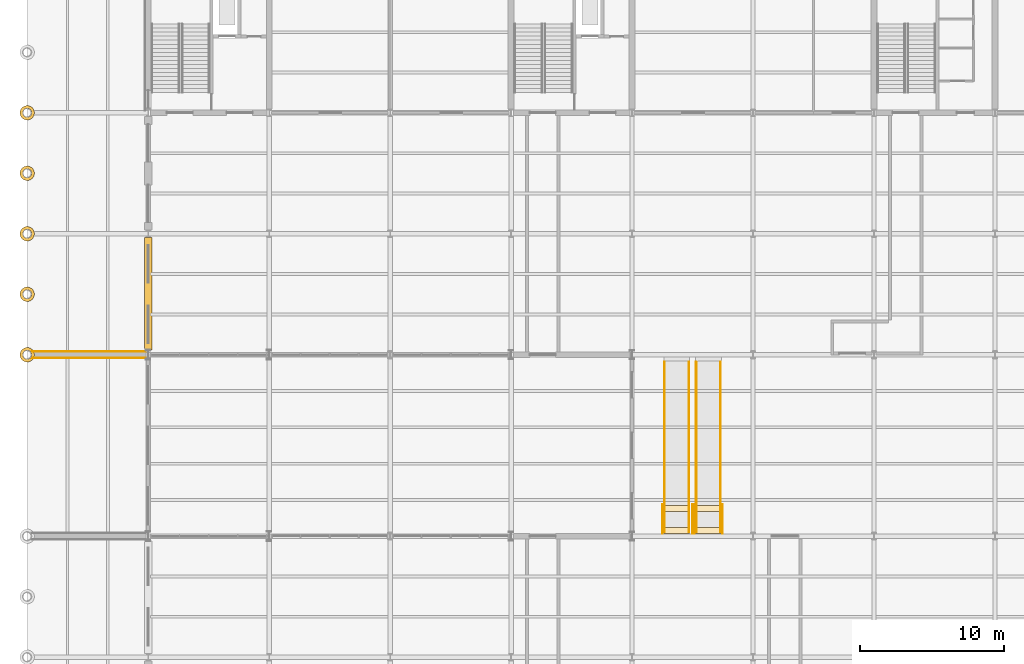
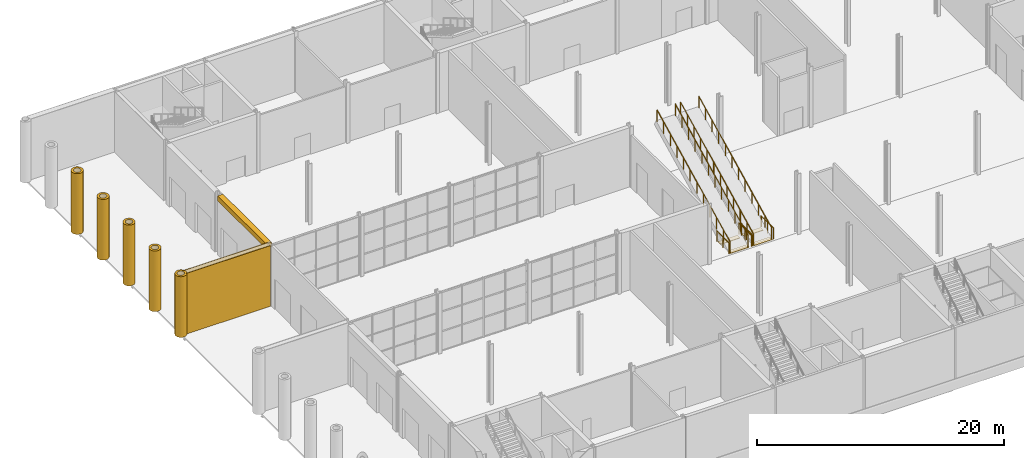
# One storey, part 43 of 55: 12 coverings, 8 railings.
"""IFC4 building model written with IfcOpenShell, lengths in metres."""

from ifc_helpers import new_model, si_unit, direction, frame, origin, origin_2d, place, context, subcontext, project, spatial, polyline, rectangle, circle, outline, extrude, material, layer, layer_set, type_object, element, save


model = new_model("IFC4")

# Units and contexts
model_context = context("Model", 3, precision=1e-05, world=origin(), true_north=direction((0.0, 1.0)))
body_context = subcontext(model_context, "Body", "Model", "MODEL_VIEW")
ifc_project = project(units=[si_unit("LENGTHUNIT", "METRE"), si_unit("AREAUNIT", "SQUARE_METRE"), si_unit("VOLUMEUNIT", "CUBIC_METRE"), si_unit("PLANEANGLEUNIT", "RADIAN"), si_unit("MASSUNIT", "GRAM", prefix="KILO")], contexts=[model_context])

# Site, building, storey
site_placement = place(None, origin())
site = spatial("IfcSite", under=ifc_project, at=site_placement, CompositionType="ELEMENT")
building_placement = place(site_placement, origin())
building = spatial("IfcBuilding", under=site, at=building_placement, Name="Galleria Vessillo Department Store", CompositionType="ELEMENT")
storey_placement = place(building_placement, origin())
storey = spatial("IfcBuildingStorey", under=building, at=storey_placement, Name="L00", CompositionType="ELEMENT", Elevation=0.0)

# Railings
ifc_material_1 = material(Name="Glass laminated 44.2", Category="glass")
railing_type_1 = type_object("IfcRailingType", Name="Escalator balustrade glass 1150 mm", PredefinedType="BALUSTRADE", material=ifc_material_1)
railing_1_placement = place(storey_placement, frame((44.25, 25.489501953125, -0.030517578125)))
element("IfcRailing", 1, at=railing_1_placement, inside=storey, type_object=railing_type_1, Name="Escalator balustrade ES1 W", PredefinedType="BALUSTRADE", context=body_context, shape_type="SweptSolid", body=[
    extrude(circle(Radius=0.02392578125, at=origin_2d()), frame((0.0, 0.0, 1.1259765625), z_axis=(0.0, 0.896133131332, 0.443785320767), x_axis=(-1.0, 0.0, 0.0)), (0.0, 0.0, 1.0), 13.1728515625),
    extrude(circle(Radius=0.02099609375, at=origin_2d()), origin(), (0.0, 0.0, 1.0), 1.101806640625),
    extrude(circle(Radius=0.02099609375, at=origin_2d()), frame((0.0, 1.0732421875, 0.531494140625)), (0.0, 0.0, 1.0), 1.101806640625),
    extrude(circle(Radius=0.02099609375, at=origin_2d()), frame((0.0, 2.146240234375, 1.06298828125)), (0.0, 0.0, 1.0), 1.101806640625),
    extrude(circle(Radius=0.02099609375, at=origin_2d()), frame((0.0, 3.219482421875, 1.59423828125)), (0.0, 0.0, 1.0), 1.101806640625),
    extrude(circle(Radius=0.02099609375, at=origin_2d()), frame((0.0, 4.292724609375, 2.125732421875)), (0.0, 0.0, 1.0), 1.101806640625),
    extrude(circle(Radius=0.02099609375, at=origin_2d()), frame((0.0, 5.36572265625, 2.6572265625)), (0.0, 0.0, 1.0), 1.101806640625),
    extrude(circle(Radius=0.02099609375, at=origin_2d()), frame((0.0, 6.43896484375, 3.188720703125)), (0.0, 0.0, 1.0), 1.101806640625),
    extrude(circle(Radius=0.02099609375, at=origin_2d()), frame((0.0, 7.511962890625, 3.72021484375)), (0.0, 0.0, 1.0), 1.101806640625),
    extrude(circle(Radius=0.02099609375, at=origin_2d()), frame((0.0, 8.585205078125, 4.251708984375)), (0.0, 0.0, 1.0), 1.101806640625),
    extrude(circle(Radius=0.02099609375, at=origin_2d()), frame((0.0, 9.658447265625, 4.782958984375)), (0.0, 0.0, 1.0), 1.101806640625),
    extrude(circle(Radius=0.02099609375, at=origin_2d()), frame((0.0, 10.7314453125, 5.314453125)), (0.0, 0.0, 1.0), 1.101806640625),
    extrude(circle(Radius=0.02099609375, at=origin_2d()), frame((0.0, 11.8046875, 5.845947265625)), (0.0, 0.0, 1.0), 1.101806640625),
])
railing_2_placement = place(storey_placement, frame((45.9501953125, 25.489501953125, -0.030517578125)))
element("IfcRailing", 2, at=railing_2_placement, inside=storey, type_object=railing_type_1, Name="Escalator balustrade ES1 E", PredefinedType="BALUSTRADE", context=body_context, shape_type="SweptSolid", body=[
    extrude(circle(Radius=0.02392578125, at=origin_2d()), frame((0.0, 0.0, 1.1259765625), z_axis=(0.0, 0.896133131332, 0.443785320767), x_axis=(-1.0, 0.0, 0.0)), (0.0, 0.0, 1.0), 13.1728515625),
    extrude(circle(Radius=0.02099609375, at=origin_2d()), origin(), (0.0, 0.0, 1.0), 1.101806640625),
    extrude(circle(Radius=0.02099609375, at=origin_2d()), frame((0.0, 1.0732421875, 0.531494140625)), (0.0, 0.0, 1.0), 1.101806640625),
    extrude(circle(Radius=0.02099609375, at=origin_2d()), frame((0.0, 2.146240234375, 1.06298828125)), (0.0, 0.0, 1.0), 1.101806640625),
    extrude(circle(Radius=0.02099609375, at=origin_2d()), frame((0.0, 3.219482421875, 1.59423828125)), (0.0, 0.0, 1.0), 1.101806640625),
    extrude(circle(Radius=0.02099609375, at=origin_2d()), frame((0.0, 4.292724609375, 2.125732421875)), (0.0, 0.0, 1.0), 1.101806640625),
    extrude(circle(Radius=0.02099609375, at=origin_2d()), frame((0.0, 5.36572265625, 2.6572265625)), (0.0, 0.0, 1.0), 1.101806640625),
    extrude(circle(Radius=0.02099609375, at=origin_2d()), frame((0.0, 6.43896484375, 3.188720703125)), (0.0, 0.0, 1.0), 1.101806640625),
    extrude(circle(Radius=0.02099609375, at=origin_2d()), frame((0.0, 7.511962890625, 3.72021484375)), (0.0, 0.0, 1.0), 1.101806640625),
    extrude(circle(Radius=0.02099609375, at=origin_2d()), frame((0.0, 8.585205078125, 4.251708984375)), (0.0, 0.0, 1.0), 1.101806640625),
    extrude(circle(Radius=0.02099609375, at=origin_2d()), frame((0.0, 9.658447265625, 4.782958984375)), (0.0, 0.0, 1.0), 1.101806640625),
    extrude(circle(Radius=0.02099609375, at=origin_2d()), frame((0.0, 10.7314453125, 5.314453125)), (0.0, 0.0, 1.0), 1.101806640625),
    extrude(circle(Radius=0.02099609375, at=origin_2d()), frame((0.0, 11.8046875, 5.845947265625)), (0.0, 0.0, 1.0), 1.101806640625),
])
railing_3_placement = place(storey_placement, frame((46.449951171875, 25.489501953125, -0.030517578125)))
element("IfcRailing", 3, at=railing_3_placement, inside=storey, type_object=railing_type_1, Name="Escalator balustrade ES2 W", PredefinedType="BALUSTRADE", context=body_context, shape_type="SweptSolid", body=[
    extrude(circle(Radius=0.02392578125, at=origin_2d()), frame((0.0, 0.0, 1.1259765625), z_axis=(0.0, 0.896133131332, 0.443785320767), x_axis=(-1.0, 0.0, 0.0)), (0.0, 0.0, 1.0), 13.1728515625),
    extrude(circle(Radius=0.02099609375, at=origin_2d()), origin(), (0.0, 0.0, 1.0), 1.101806640625),
    extrude(circle(Radius=0.02099609375, at=origin_2d()), frame((0.0, 1.0732421875, 0.531494140625)), (0.0, 0.0, 1.0), 1.101806640625),
    extrude(circle(Radius=0.02099609375, at=origin_2d()), frame((0.0, 2.146240234375, 1.06298828125)), (0.0, 0.0, 1.0), 1.101806640625),
    extrude(circle(Radius=0.02099609375, at=origin_2d()), frame((0.0, 3.219482421875, 1.59423828125)), (0.0, 0.0, 1.0), 1.101806640625),
    extrude(circle(Radius=0.02099609375, at=origin_2d()), frame((0.0, 4.292724609375, 2.125732421875)), (0.0, 0.0, 1.0), 1.101806640625),
    extrude(circle(Radius=0.02099609375, at=origin_2d()), frame((0.0, 5.36572265625, 2.6572265625)), (0.0, 0.0, 1.0), 1.101806640625),
    extrude(circle(Radius=0.02099609375, at=origin_2d()), frame((0.0, 6.43896484375, 3.188720703125)), (0.0, 0.0, 1.0), 1.101806640625),
    extrude(circle(Radius=0.02099609375, at=origin_2d()), frame((0.0, 7.511962890625, 3.72021484375)), (0.0, 0.0, 1.0), 1.101806640625),
    extrude(circle(Radius=0.02099609375, at=origin_2d()), frame((0.0, 8.585205078125, 4.251708984375)), (0.0, 0.0, 1.0), 1.101806640625),
    extrude(circle(Radius=0.02099609375, at=origin_2d()), frame((0.0, 9.658447265625, 4.782958984375)), (0.0, 0.0, 1.0), 1.101806640625),
    extrude(circle(Radius=0.02099609375, at=origin_2d()), frame((0.0, 10.7314453125, 5.314453125)), (0.0, 0.0, 1.0), 1.101806640625),
    extrude(circle(Radius=0.02099609375, at=origin_2d()), frame((0.0, 11.8046875, 5.845947265625)), (0.0, 0.0, 1.0), 1.101806640625),
])
railing_4_placement = place(storey_placement, frame((48.150146484375, 25.489501953125, -0.030517578125)))
element("IfcRailing", 4, at=railing_4_placement, inside=storey, type_object=railing_type_1, Name="Escalator balustrade ES2 E", PredefinedType="BALUSTRADE", context=body_context, shape_type="SweptSolid", body=[
    extrude(circle(Radius=0.02392578125, at=origin_2d()), frame((0.0, 0.0, 1.1259765625), z_axis=(0.0, 0.896133131332, 0.443785320767), x_axis=(-1.0, 0.0, 0.0)), (0.0, 0.0, 1.0), 13.1728515625),
    extrude(circle(Radius=0.02099609375, at=origin_2d()), origin(), (0.0, 0.0, 1.0), 1.101806640625),
    extrude(circle(Radius=0.02099609375, at=origin_2d()), frame((0.0, 1.0732421875, 0.531494140625)), (0.0, 0.0, 1.0), 1.101806640625),
    extrude(circle(Radius=0.02099609375, at=origin_2d()), frame((0.0, 2.146240234375, 1.06298828125)), (0.0, 0.0, 1.0), 1.101806640625),
    extrude(circle(Radius=0.02099609375, at=origin_2d()), frame((0.0, 3.219482421875, 1.59423828125)), (0.0, 0.0, 1.0), 1.101806640625),
    extrude(circle(Radius=0.02099609375, at=origin_2d()), frame((0.0, 4.292724609375, 2.125732421875)), (0.0, 0.0, 1.0), 1.101806640625),
    extrude(circle(Radius=0.02099609375, at=origin_2d()), frame((0.0, 5.36572265625, 2.6572265625)), (0.0, 0.0, 1.0), 1.101806640625),
    extrude(circle(Radius=0.02099609375, at=origin_2d()), frame((0.0, 6.43896484375, 3.188720703125)), (0.0, 0.0, 1.0), 1.101806640625),
    extrude(circle(Radius=0.02099609375, at=origin_2d()), frame((0.0, 7.511962890625, 3.72021484375)), (0.0, 0.0, 1.0), 1.101806640625),
    extrude(circle(Radius=0.02099609375, at=origin_2d()), frame((0.0, 8.585205078125, 4.251708984375)), (0.0, 0.0, 1.0), 1.101806640625),
    extrude(circle(Radius=0.02099609375, at=origin_2d()), frame((0.0, 9.658447265625, 4.782958984375)), (0.0, 0.0, 1.0), 1.101806640625),
    extrude(circle(Radius=0.02099609375, at=origin_2d()), frame((0.0, 10.7314453125, 5.314453125)), (0.0, 0.0, 1.0), 1.101806640625),
    extrude(circle(Radius=0.02099609375, at=origin_2d()), frame((0.0, 11.8046875, 5.845947265625)), (0.0, 0.0, 1.0), 1.101806640625),
])

# Coverings
ifc_material_2 = material(Name="Aluminium comb plate", Category="aluminium")
ifc_layer_1 = layer(ifc_material_2, 0.074951171875)
ifc_layer_set_1 = layer_set([ifc_layer_1], Name="Aluminium comb plate")
covering_type_1 = type_object("IfcCoveringType", Name="Escalator comb plate 75 mm", PredefinedType="FLOORING", material=ifc_layer_set_1)
covering_1_placement = place(storey_placement, frame((0.0, 0.0, -0.074951171875)))
element("IfcCovering", 5, at=covering_1_placement, inside=storey, type_object=covering_type_1, Name="Escalator ES1 comb plate", PredefinedType="FLOORING", context=body_context, shape_type="SweptSolid", body=[
    extrude(outline(polyline([(44.2001953125, 25.39990234375), (46.0, 25.39990234375), (46.0, 25.81982421875), (44.2001953125, 25.81982421875), (44.2001953125, 25.39990234375)])), origin(), (0.0, 0.0, 1.0), 0.074951171875),
])
covering_2_placement = place(storey_placement, frame((0.0, 0.0, -0.074951171875)))
element("IfcCovering", 6, at=covering_2_placement, inside=storey, type_object=covering_type_1, Name="Escalator ES1 cover plate", PredefinedType="FLOORING", context=body_context, shape_type="SweptSolid", body=[
    extrude(outline(polyline([(44.2001953125, 26.92333984375), (46.0, 26.92333984375), (46.0, 27.34326171875), (44.2001953125, 27.34326171875), (44.2001953125, 26.92333984375)])), origin(), (0.0, 0.0, 1.0), 0.074951171875),
])
covering_3_placement = place(storey_placement, frame((0.0, 0.0, -0.074951171875)))
element("IfcCovering", 7, at=covering_3_placement, inside=storey, type_object=covering_type_1, Name="Escalator ES2 comb plate", PredefinedType="FLOORING", context=body_context, shape_type="SweptSolid", body=[
    extrude(outline(polyline([(46.400146484375, 25.39990234375), (48.199951171875, 25.39990234375), (48.199951171875, 25.81982421875), (46.400146484375, 25.81982421875), (46.400146484375, 25.39990234375)])), origin(), (0.0, 0.0, 1.0), 0.074951171875),
])
covering_4_placement = place(storey_placement, frame((0.0, 0.0, -0.074951171875)))
element("IfcCovering", 8, at=covering_4_placement, inside=storey, type_object=covering_type_1, Name="Escalator ES2 cover plate", PredefinedType="FLOORING", context=body_context, shape_type="SweptSolid", body=[
    extrude(outline(polyline([(46.400146484375, 26.92333984375), (48.199951171875, 26.92333984375), (48.199951171875, 27.34326171875), (46.400146484375, 27.34326171875), (46.400146484375, 26.92333984375)])), origin(), (0.0, 0.0, 1.0), 0.074951171875),
])

# Railings
ifc_material_3 = material(Name="Stainless steel tube", Category="steel")
railing_type_2 = type_object("IfcRailingType", Name="Escalator pit guard 1100 mm", PredefinedType="GUARDRAIL", material=ifc_material_3)
for number, where, name in (
    (9, (44.1201171875, 25.39990234375, 0.0), "Escalator pit guard L00 1"),
    (10, (46.199951171875, 25.39990234375, 0.0), "Escalator pit guard L00 2"),
    (11, (46.320068359375, 25.39990234375, 0.0), "Escalator pit guard L00 3"),
    (12, (48.280029296875, 25.39990234375, 0.0), "Escalator pit guard L00 4"),
):
    element("IfcRailing", number, at=place(storey_placement, frame(where)), inside=storey, type_object=railing_type_2, Name=name, PredefinedType="GUARDRAIL", context=body_context, shape_type="SweptSolid", body=[
        extrude(circle(Radius=0.02392578125, at=origin_2d()), frame((0.0, 0.0, 1.076171875), z_axis=(0.0, 1.0, 0.0), x_axis=(-1.0, 0.0, 0.0)), (0.0, 0.0, 1.0), 2.00341796875),
        extrude(circle(Radius=0.02099609375, at=origin_2d()), origin(), (0.0, 0.0, 1.0), 1.052001953125),
        extrude(circle(Radius=0.02099609375, at=origin_2d()), frame((0.0, 1.001708984375, 0.0)), (0.0, 0.0, 1.0), 1.052001953125),
        extrude(circle(Radius=0.02099609375, at=origin_2d()), frame((0.0, 2.00341796875, 0.0)), (0.0, 0.0, 1.0), 1.052001953125),
    ])

# Coverings
ifc_material_4 = material(Name="Botticino limestone ashlar", Category="masonry")
ifc_layer_2 = layer(ifc_material_4, 0.195068359375)
ifc_layer_set_2 = layer_set([ifc_layer_2], Name="Botticino limestone ashlar")
covering_type_2 = type_object("IfcCoveringType", Name="Limestone column drum cladding 1000 mm", PredefinedType="CLADDING", material=ifc_layer_set_2)
covering_5_placement = place(storey_placement, origin())
element("IfcCovering", 13, at=covering_5_placement, inside=storey, type_object=covering_type_2, Name="Column drum cladding L00 y=37.8", PredefinedType="CLADDING", context=body_context, shape_type="SweptSolid", body=[
    extrude(outline(polyline([(0.5, 37.800048828125), (0.49560546875, 37.865234375), (0.48291015625, 37.929443359375), (0.4619140625, 37.991455078125), (0.43310546875, 38.050048828125), (0.396728515625, 38.1044921875), (0.353515625, 38.153564453125), (0.304443359375, 38.19677734375), (0.25, 38.233154296875), (0.19140625, 38.261962890625), (0.12939453125, 38.282958984375), (0.065185546875, 38.295654296875), (0.0, 38.300048828125), (-0.065185546875, 38.295654296875), (-0.12939453125, 38.282958984375), (-0.19140625, 38.261962890625), (-0.25, 38.233154296875), (-0.304443359375, 38.19677734375), (-0.353515625, 38.153564453125), (-0.396728515625, 38.1044921875), (-0.43310546875, 38.050048828125), (-0.4619140625, 37.991455078125), (-0.48291015625, 37.929443359375), (-0.49560546875, 37.865234375), (-0.5, 37.800048828125), (-0.49560546875, 37.73486328125), (-0.48291015625, 37.670654296875), (-0.4619140625, 37.608642578125), (-0.43310546875, 37.550048828125), (-0.396728515625, 37.49560546875), (-0.353515625, 37.446533203125), (-0.304443359375, 37.4033203125), (-0.25, 37.366943359375), (-0.19140625, 37.338134765625), (-0.12939453125, 37.317138671875), (-0.065185546875, 37.304443359375), (0.0, 37.300048828125), (0.065185546875, 37.304443359375), (0.12939453125, 37.317138671875), (0.19140625, 37.338134765625), (0.25, 37.366943359375), (0.304443359375, 37.4033203125), (0.353515625, 37.446533203125), (0.396728515625, 37.49560546875), (0.43310546875, 37.550048828125), (0.4619140625, 37.608642578125), (0.48291015625, 37.670654296875), (0.49560546875, 37.73486328125), (0.5, 37.800048828125)]), holes=[polyline([(0.3056640625, 37.800048828125), (0.302978515625, 37.83984375), (0.295166015625, 37.879150390625), (0.282470703125, 37.9169921875), (0.2646484375, 37.952880859375), (0.242431640625, 37.986083984375), (0.216064453125, 38.01611328125), (0.18603515625, 38.04248046875), (0.15283203125, 38.064697265625), (0.116943359375, 38.08251953125), (0.0791015625, 38.09521484375), (0.039794921875, 38.10302734375), (0.0, 38.105712890625), (-0.039794921875, 38.10302734375), (-0.0791015625, 38.09521484375), (-0.116943359375, 38.08251953125), (-0.15283203125, 38.064697265625), (-0.18603515625, 38.04248046875), (-0.216064453125, 38.01611328125), (-0.242431640625, 37.986083984375), (-0.2646484375, 37.952880859375), (-0.282470703125, 37.9169921875), (-0.295166015625, 37.879150390625), (-0.302978515625, 37.83984375), (-0.3056640625, 37.800048828125), (-0.302978515625, 37.76025390625), (-0.295166015625, 37.720947265625), (-0.282470703125, 37.68310546875), (-0.2646484375, 37.647216796875), (-0.242431640625, 37.614013671875), (-0.216064453125, 37.583984375), (-0.18603515625, 37.5576171875), (-0.15283203125, 37.535400390625), (-0.116943359375, 37.517578125), (-0.0791015625, 37.5048828125), (-0.039794921875, 37.4970703125), (0.0, 37.494384765625), (0.039794921875, 37.4970703125), (0.0791015625, 37.5048828125), (0.116943359375, 37.517578125), (0.15283203125, 37.535400390625), (0.18603515625, 37.5576171875), (0.216064453125, 37.583984375), (0.242431640625, 37.614013671875), (0.2646484375, 37.647216796875), (0.282470703125, 37.68310546875), (0.295166015625, 37.720947265625), (0.302978515625, 37.76025390625), (0.3056640625, 37.800048828125)])]), origin(), (0.0, 0.0, 1.0), 6.0),
])
covering_6_placement = place(storey_placement, origin())
element("IfcCovering", 14, at=covering_6_placement, inside=storey, type_object=covering_type_2, Name="Column drum cladding L00 y=42.0", PredefinedType="CLADDING", context=body_context, shape_type="SweptSolid", body=[
    extrude(outline(polyline([(0.5, 42.0), (0.49560546875, 42.065185546875), (0.48291015625, 42.12939453125), (0.4619140625, 42.19140625), (0.43310546875, 42.25), (0.396728515625, 42.304443359375), (0.353515625, 42.353515625), (0.304443359375, 42.396728515625), (0.25, 42.43310546875), (0.19140625, 42.4619140625), (0.12939453125, 42.48291015625), (0.065185546875, 42.49560546875), (0.0, 42.5), (-0.065185546875, 42.49560546875), (-0.12939453125, 42.48291015625), (-0.19140625, 42.4619140625), (-0.25, 42.43310546875), (-0.304443359375, 42.396728515625), (-0.353515625, 42.353515625), (-0.396728515625, 42.304443359375), (-0.43310546875, 42.25), (-0.4619140625, 42.19140625), (-0.48291015625, 42.12939453125), (-0.49560546875, 42.065185546875), (-0.5, 42.0), (-0.49560546875, 41.934814453125), (-0.48291015625, 41.87060546875), (-0.4619140625, 41.80859375), (-0.43310546875, 41.75), (-0.396728515625, 41.695556640625), (-0.353515625, 41.646484375), (-0.304443359375, 41.603271484375), (-0.25, 41.56689453125), (-0.19140625, 41.5380859375), (-0.12939453125, 41.51708984375), (-0.065185546875, 41.50439453125), (0.0, 41.5), (0.065185546875, 41.50439453125), (0.12939453125, 41.51708984375), (0.19140625, 41.5380859375), (0.25, 41.56689453125), (0.304443359375, 41.603271484375), (0.353515625, 41.646484375), (0.396728515625, 41.695556640625), (0.43310546875, 41.75), (0.4619140625, 41.80859375), (0.48291015625, 41.87060546875), (0.49560546875, 41.934814453125), (0.5, 42.0)]), holes=[polyline([(0.3056640625, 42.0), (0.302978515625, 42.039794921875), (0.295166015625, 42.0791015625), (0.282470703125, 42.116943359375), (0.2646484375, 42.15283203125), (0.242431640625, 42.18603515625), (0.216064453125, 42.216064453125), (0.18603515625, 42.242431640625), (0.15283203125, 42.2646484375), (0.116943359375, 42.282470703125), (0.0791015625, 42.295166015625), (0.039794921875, 42.302978515625), (0.0, 42.3056640625), (-0.039794921875, 42.302978515625), (-0.0791015625, 42.295166015625), (-0.116943359375, 42.282470703125), (-0.15283203125, 42.2646484375), (-0.18603515625, 42.242431640625), (-0.216064453125, 42.216064453125), (-0.242431640625, 42.18603515625), (-0.2646484375, 42.15283203125), (-0.282470703125, 42.116943359375), (-0.295166015625, 42.0791015625), (-0.302978515625, 42.039794921875), (-0.3056640625, 42.0), (-0.302978515625, 41.960205078125), (-0.295166015625, 41.9208984375), (-0.282470703125, 41.883056640625), (-0.2646484375, 41.84716796875), (-0.242431640625, 41.81396484375), (-0.216064453125, 41.783935546875), (-0.18603515625, 41.757568359375), (-0.15283203125, 41.7353515625), (-0.116943359375, 41.717529296875), (-0.0791015625, 41.704833984375), (-0.039794921875, 41.697021484375), (0.0, 41.6943359375), (0.039794921875, 41.697021484375), (0.0791015625, 41.704833984375), (0.116943359375, 41.717529296875), (0.15283203125, 41.7353515625), (0.18603515625, 41.757568359375), (0.216064453125, 41.783935546875), (0.242431640625, 41.81396484375), (0.2646484375, 41.84716796875), (0.282470703125, 41.883056640625), (0.295166015625, 41.9208984375), (0.302978515625, 41.960205078125), (0.3056640625, 42.0)])]), origin(), (0.0, 0.0, 1.0), 6.0),
])
covering_7_placement = place(storey_placement, origin())
element("IfcCovering", 15, at=covering_7_placement, inside=storey, type_object=covering_type_2, Name="Column drum cladding L00 y=46.2", PredefinedType="CLADDING", context=body_context, shape_type="SweptSolid", body=[
    extrude(outline(polyline([(0.5, 46.199951171875), (0.49560546875, 46.26513671875), (0.48291015625, 46.329345703125), (0.4619140625, 46.391357421875), (0.43310546875, 46.449951171875), (0.396728515625, 46.50439453125), (0.353515625, 46.553466796875), (0.304443359375, 46.5966796875), (0.25, 46.633056640625), (0.19140625, 46.661865234375), (0.12939453125, 46.682861328125), (0.065185546875, 46.695556640625), (0.0, 46.699951171875), (-0.065185546875, 46.695556640625), (-0.12939453125, 46.682861328125), (-0.19140625, 46.661865234375), (-0.25, 46.633056640625), (-0.304443359375, 46.5966796875), (-0.353515625, 46.553466796875), (-0.396728515625, 46.50439453125), (-0.43310546875, 46.449951171875), (-0.4619140625, 46.391357421875), (-0.48291015625, 46.329345703125), (-0.49560546875, 46.26513671875), (-0.5, 46.199951171875), (-0.49560546875, 46.134765625), (-0.48291015625, 46.070556640625), (-0.4619140625, 46.008544921875), (-0.43310546875, 45.949951171875), (-0.396728515625, 45.8955078125), (-0.353515625, 45.846435546875), (-0.304443359375, 45.80322265625), (-0.25, 45.766845703125), (-0.19140625, 45.738037109375), (-0.12939453125, 45.717041015625), (-0.065185546875, 45.704345703125), (0.0, 45.699951171875), (0.065185546875, 45.704345703125), (0.12939453125, 45.717041015625), (0.19140625, 45.738037109375), (0.25, 45.766845703125), (0.304443359375, 45.80322265625), (0.353515625, 45.846435546875), (0.396728515625, 45.8955078125), (0.43310546875, 45.949951171875), (0.4619140625, 46.008544921875), (0.48291015625, 46.070556640625), (0.49560546875, 46.134765625), (0.5, 46.199951171875)]), holes=[polyline([(0.3056640625, 46.199951171875), (0.302978515625, 46.23974609375), (0.295166015625, 46.279052734375), (0.282470703125, 46.31689453125), (0.2646484375, 46.352783203125), (0.242431640625, 46.385986328125), (0.216064453125, 46.416015625), (0.18603515625, 46.4423828125), (0.15283203125, 46.464599609375), (0.116943359375, 46.482421875), (0.0791015625, 46.4951171875), (0.039794921875, 46.5029296875), (0.0, 46.505615234375), (-0.039794921875, 46.5029296875), (-0.0791015625, 46.4951171875), (-0.116943359375, 46.482421875), (-0.15283203125, 46.464599609375), (-0.18603515625, 46.4423828125), (-0.216064453125, 46.416015625), (-0.242431640625, 46.385986328125), (-0.2646484375, 46.352783203125), (-0.282470703125, 46.31689453125), (-0.295166015625, 46.279052734375), (-0.302978515625, 46.23974609375), (-0.3056640625, 46.199951171875), (-0.302978515625, 46.16015625), (-0.295166015625, 46.120849609375), (-0.282470703125, 46.0830078125), (-0.2646484375, 46.047119140625), (-0.242431640625, 46.013916015625), (-0.216064453125, 45.98388671875), (-0.18603515625, 45.95751953125), (-0.15283203125, 45.935302734375), (-0.116943359375, 45.91748046875), (-0.0791015625, 45.90478515625), (-0.039794921875, 45.89697265625), (0.0, 45.894287109375), (0.039794921875, 45.89697265625), (0.0791015625, 45.90478515625), (0.116943359375, 45.91748046875), (0.15283203125, 45.935302734375), (0.18603515625, 45.95751953125), (0.216064453125, 45.98388671875), (0.242431640625, 46.013916015625), (0.2646484375, 46.047119140625), (0.282470703125, 46.0830078125), (0.295166015625, 46.120849609375), (0.302978515625, 46.16015625), (0.3056640625, 46.199951171875)])]), origin(), (0.0, 0.0, 1.0), 6.0),
])
covering_8_placement = place(storey_placement, origin())
element("IfcCovering", 16, at=covering_8_placement, inside=storey, type_object=covering_type_2, Name="Column drum cladding L00 y=50.4", PredefinedType="CLADDING", context=body_context, shape_type="SweptSolid", body=[
    extrude(outline(polyline([(0.5, 50.39990234375), (0.49560546875, 50.465087890625), (0.48291015625, 50.529296875), (0.4619140625, 50.59130859375), (0.43310546875, 50.64990234375), (0.396728515625, 50.704345703125), (0.353515625, 50.75341796875), (0.304443359375, 50.796630859375), (0.25, 50.8330078125), (0.19140625, 50.86181640625), (0.12939453125, 50.8828125), (0.065185546875, 50.8955078125), (0.0, 50.89990234375), (-0.065185546875, 50.8955078125), (-0.12939453125, 50.8828125), (-0.19140625, 50.86181640625), (-0.25, 50.8330078125), (-0.304443359375, 50.796630859375), (-0.353515625, 50.75341796875), (-0.396728515625, 50.704345703125), (-0.43310546875, 50.64990234375), (-0.4619140625, 50.59130859375), (-0.48291015625, 50.529296875), (-0.49560546875, 50.465087890625), (-0.5, 50.39990234375), (-0.49560546875, 50.334716796875), (-0.48291015625, 50.2705078125), (-0.4619140625, 50.20849609375), (-0.43310546875, 50.14990234375), (-0.396728515625, 50.095458984375), (-0.353515625, 50.04638671875), (-0.304443359375, 50.003173828125), (-0.25, 49.966796875), (-0.19140625, 49.93798828125), (-0.12939453125, 49.9169921875), (-0.065185546875, 49.904296875), (0.0, 49.89990234375), (0.065185546875, 49.904296875), (0.12939453125, 49.9169921875), (0.19140625, 49.93798828125), (0.25, 49.966796875), (0.304443359375, 50.003173828125), (0.353515625, 50.04638671875), (0.396728515625, 50.095458984375), (0.43310546875, 50.14990234375), (0.4619140625, 50.20849609375), (0.48291015625, 50.2705078125), (0.49560546875, 50.334716796875), (0.5, 50.39990234375)]), holes=[polyline([(0.3056640625, 50.39990234375), (0.302978515625, 50.439697265625), (0.295166015625, 50.47900390625), (0.282470703125, 50.516845703125), (0.2646484375, 50.552734375), (0.242431640625, 50.5859375), (0.216064453125, 50.615966796875), (0.18603515625, 50.642333984375), (0.15283203125, 50.66455078125), (0.116943359375, 50.682373046875), (0.0791015625, 50.695068359375), (0.039794921875, 50.702880859375), (0.0, 50.70556640625), (-0.039794921875, 50.702880859375), (-0.0791015625, 50.695068359375), (-0.116943359375, 50.682373046875), (-0.15283203125, 50.66455078125), (-0.18603515625, 50.642333984375), (-0.216064453125, 50.615966796875), (-0.242431640625, 50.5859375), (-0.2646484375, 50.552734375), (-0.282470703125, 50.516845703125), (-0.295166015625, 50.47900390625), (-0.302978515625, 50.439697265625), (-0.3056640625, 50.39990234375), (-0.302978515625, 50.360107421875), (-0.295166015625, 50.32080078125), (-0.282470703125, 50.282958984375), (-0.2646484375, 50.2470703125), (-0.242431640625, 50.2138671875), (-0.216064453125, 50.183837890625), (-0.18603515625, 50.157470703125), (-0.15283203125, 50.13525390625), (-0.116943359375, 50.117431640625), (-0.0791015625, 50.104736328125), (-0.039794921875, 50.096923828125), (0.0, 50.09423828125), (0.039794921875, 50.096923828125), (0.0791015625, 50.104736328125), (0.116943359375, 50.117431640625), (0.15283203125, 50.13525390625), (0.18603515625, 50.157470703125), (0.216064453125, 50.183837890625), (0.242431640625, 50.2138671875), (0.2646484375, 50.2470703125), (0.282470703125, 50.282958984375), (0.295166015625, 50.32080078125), (0.302978515625, 50.360107421875), (0.3056640625, 50.39990234375)])]), origin(), (0.0, 0.0, 1.0), 6.0),
])
covering_9_placement = place(storey_placement, origin())
element("IfcCovering", 17, at=covering_9_placement, inside=storey, type_object=covering_type_2, Name="Column drum cladding L00 y=54.6", PredefinedType="CLADDING", context=body_context, shape_type="SweptSolid", body=[
    extrude(outline(polyline([(0.5, 54.60009765625), (0.49560546875, 54.665283203125), (0.48291015625, 54.7294921875), (0.4619140625, 54.79150390625), (0.43310546875, 54.85009765625), (0.396728515625, 54.904541015625), (0.353515625, 54.95361328125), (0.304443359375, 54.996826171875), (0.25, 55.033203125), (0.19140625, 55.06201171875), (0.12939453125, 55.0830078125), (0.065185546875, 55.095703125), (0.0, 55.10009765625), (-0.065185546875, 55.095703125), (-0.12939453125, 55.0830078125), (-0.19140625, 55.06201171875), (-0.25, 55.033203125), (-0.304443359375, 54.996826171875), (-0.353515625, 54.95361328125), (-0.396728515625, 54.904541015625), (-0.43310546875, 54.85009765625), (-0.4619140625, 54.79150390625), (-0.48291015625, 54.7294921875), (-0.49560546875, 54.665283203125), (-0.5, 54.60009765625), (-0.49560546875, 54.534912109375), (-0.48291015625, 54.470703125), (-0.4619140625, 54.40869140625), (-0.43310546875, 54.35009765625), (-0.396728515625, 54.295654296875), (-0.353515625, 54.24658203125), (-0.304443359375, 54.203369140625), (-0.25, 54.1669921875), (-0.19140625, 54.13818359375), (-0.12939453125, 54.1171875), (-0.065185546875, 54.1044921875), (0.0, 54.10009765625), (0.065185546875, 54.1044921875), (0.12939453125, 54.1171875), (0.19140625, 54.13818359375), (0.25, 54.1669921875), (0.304443359375, 54.203369140625), (0.353515625, 54.24658203125), (0.396728515625, 54.295654296875), (0.43310546875, 54.35009765625), (0.4619140625, 54.40869140625), (0.48291015625, 54.470703125), (0.49560546875, 54.534912109375), (0.5, 54.60009765625)]), holes=[polyline([(0.3056640625, 54.60009765625), (0.302978515625, 54.639892578125), (0.295166015625, 54.67919921875), (0.282470703125, 54.717041015625), (0.2646484375, 54.7529296875), (0.242431640625, 54.7861328125), (0.216064453125, 54.816162109375), (0.18603515625, 54.842529296875), (0.15283203125, 54.86474609375), (0.116943359375, 54.882568359375), (0.0791015625, 54.895263671875), (0.039794921875, 54.903076171875), (0.0, 54.90576171875), (-0.039794921875, 54.903076171875), (-0.0791015625, 54.895263671875), (-0.116943359375, 54.882568359375), (-0.15283203125, 54.86474609375), (-0.18603515625, 54.842529296875), (-0.216064453125, 54.816162109375), (-0.242431640625, 54.7861328125), (-0.2646484375, 54.7529296875), (-0.282470703125, 54.717041015625), (-0.295166015625, 54.67919921875), (-0.302978515625, 54.639892578125), (-0.3056640625, 54.60009765625), (-0.302978515625, 54.560302734375), (-0.295166015625, 54.52099609375), (-0.282470703125, 54.483154296875), (-0.2646484375, 54.447265625), (-0.242431640625, 54.4140625), (-0.216064453125, 54.384033203125), (-0.18603515625, 54.357666015625), (-0.15283203125, 54.33544921875), (-0.116943359375, 54.317626953125), (-0.0791015625, 54.304931640625), (-0.039794921875, 54.297119140625), (0.0, 54.29443359375), (0.039794921875, 54.297119140625), (0.0791015625, 54.304931640625), (0.116943359375, 54.317626953125), (0.15283203125, 54.33544921875), (0.18603515625, 54.357666015625), (0.216064453125, 54.384033203125), (0.242431640625, 54.4140625), (0.2646484375, 54.447265625), (0.282470703125, 54.483154296875), (0.295166015625, 54.52099609375), (0.302978515625, 54.560302734375), (0.3056640625, 54.60009765625)])]), origin(), (0.0, 0.0, 1.0), 6.0),
])
ifc_material_5 = material(Name="Botticino limestone ashlar", Category="masonry")
ifc_layer_3 = layer(ifc_material_5, 0.5)
ifc_layer_set_3 = layer_set([ifc_layer_3], Name="Botticino limestone ashlar")
covering_type_3 = type_object("IfcCoveringType", Name="Limestone lintel frieze 500 mm", PredefinedType="CLADDING", material=ifc_layer_set_3)
covering_10_placement = place(storey_placement, frame((8.39990234375, 42.0419921875, 5.35986328125), z_axis=(0.0, 0.0, 1.0), x_axis=(1.0, 0.0, 0.0)))
element("IfcCovering", 18, at=covering_10_placement, inside=storey, type_object=covering_type_3, Name="Lintel frieze LB-N-L00-01", PredefinedType="CLADDING", context=body_context, shape_type="SweptSolid", body=[
    extrude(rectangle(XDim=0.5, YDim=7.81591796875, at=origin_2d()), origin(), (0.0, 0.0, 1.0), 0.490234375),
])
ifc_material_6 = material(Name="Botticino limestone ashlar", Category="masonry")
ifc_layer_4 = layer(ifc_material_6, 0.050048828125)
ifc_layer_set_4 = layer_set([ifc_layer_4], Name="Botticino limestone ashlar")
covering_type_4 = type_object("IfcCoveringType", Name="Limestone portal reveal cladding 50 mm", PredefinedType="CLADDING", material=ifc_layer_set_4)
for number, where, z_axis, x_axis, name in (
    (19, (4.276123046875, 37.574951171875, 0.0), (0.0, 0.0, 1.0), (1.0, 0.0, 0.0), "Portal reveal cladding PW-N-L00-01 a"),
    (20, (4.276123046875, 38.025146484375, 0.0), (0.0, 0.0, 1.0), (1.0, 0.0, 0.0), "Portal reveal cladding PW-N-L00-01 b"),
):
    element("IfcCovering", number, at=place(storey_placement, frame(where, z_axis=z_axis, x_axis=x_axis)), inside=storey, type_object=covering_type_4, Name=name, PredefinedType="CLADDING", context=body_context, shape_type="SweptSolid", body=[
        extrude(rectangle(XDim=7.9423828125, YDim=0.050048828125, at=origin_2d()), origin(), (0.0, 0.0, 1.0), 6.0),
    ])

save(model, "model.ifc")
